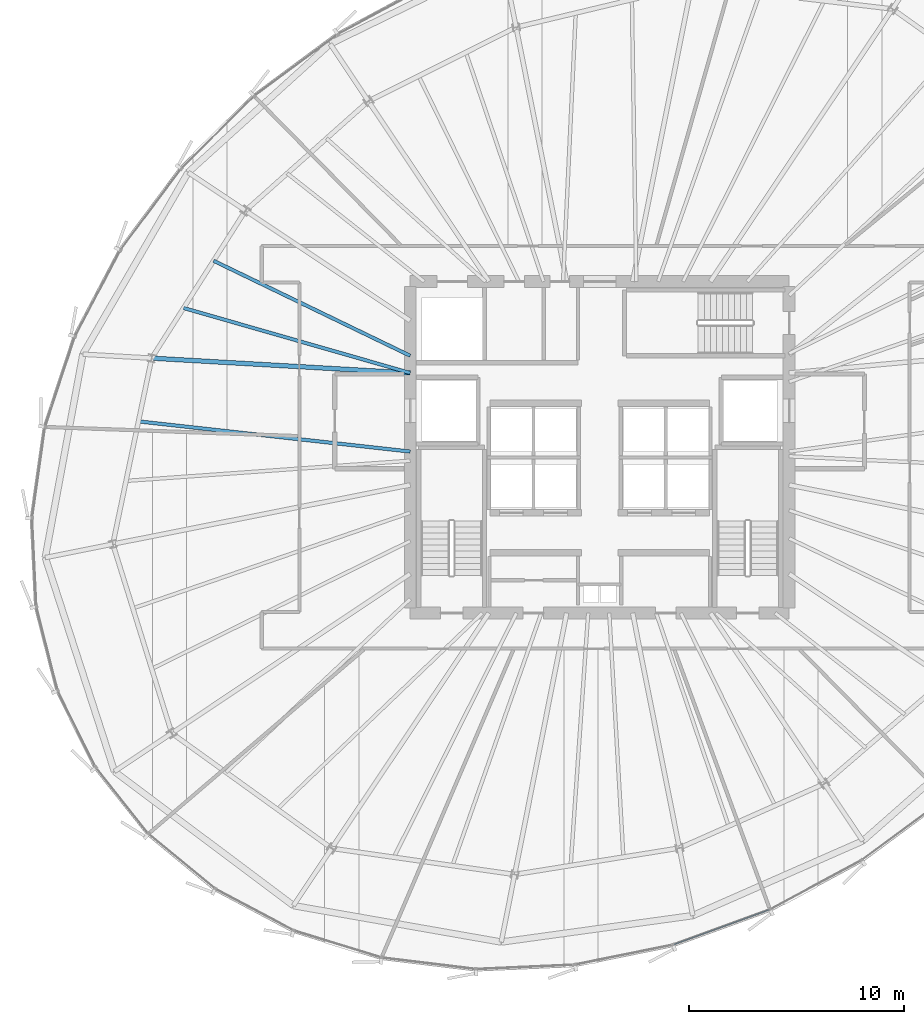
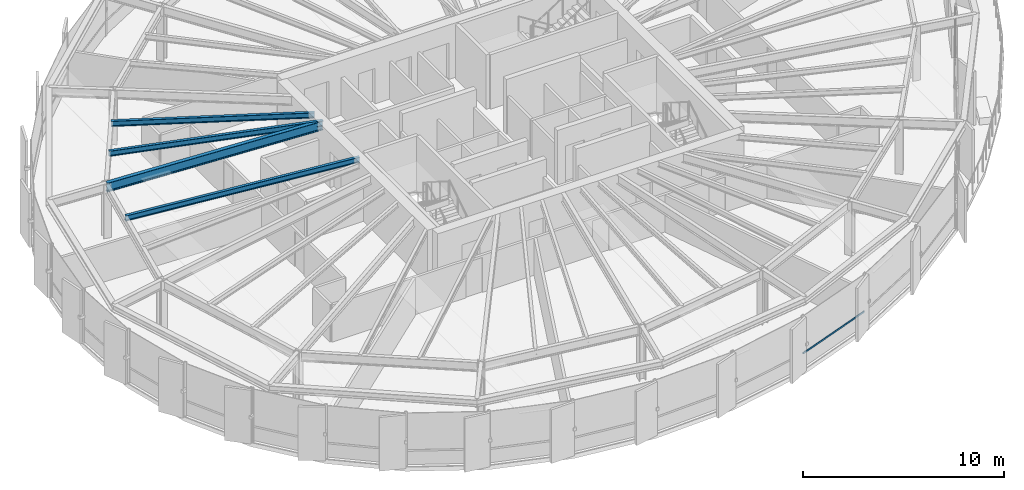
# One storey, part 12 of 36: 4 beams, 1 member, 1 element without a shape of its own.
"""IFC4 building model written with IfcOpenShell, lengths in metres."""

from ifc_helpers import new_model, si_unit, direction, frame, origin, origin_2d, place, context, subcontext, project, spatial, hollow_rectangle, i_section, extrude, source, transform, mapped, material, layer, layer_set, material_profile, profile_set, type_object, element, aggregate, save


model = new_model("IFC4")

# Units and contexts
model_context = context("Model", 3, precision=1e-05, world=origin(), true_north=direction((0.0, 1.0)))
body_context = subcontext(model_context, "Body", "Model", "MODEL_VIEW")
ifc_project = project(units=[si_unit("LENGTHUNIT", "METRE"), si_unit("AREAUNIT", "SQUARE_METRE"), si_unit("VOLUMEUNIT", "CUBIC_METRE"), si_unit("PLANEANGLEUNIT", "RADIAN"), si_unit("MASSUNIT", "GRAM", prefix="KILO"), si_unit("THERMODYNAMICTEMPERATUREUNIT", "KELVIN")], contexts=[model_context])

# Site, building, storey
site_placement = place(None, origin())
site = spatial("IfcSite", under=ifc_project, at=site_placement, CompositionType="ELEMENT")
building_placement = place(site_placement, origin())
building = spatial("IfcBuilding", under=site, at=building_placement, Name="Kethvar Cultural Tower", CompositionType="ELEMENT")
storey_placement = place(building_placement, frame((0.0, 0.0, 164.300048828125)))
storey = spatial("IfcBuildingStorey", under=building, at=storey_placement, Name="L42", CompositionType="ELEMENT", Elevation=164.300048828125)

# Beams
ifc_material_1 = material(Name="Steel S355J2", Category="steel")
ifc_material_profile_1 = material_profile(ifc_material_1, i_section(OverallWidth=0.2099609375, OverallDepth=0.550048828125, WebThickness=0.010986328125, FlangeThickness=0.01708984375, FilletRadius=0.02392578125, at=origin_2d()), Name="Steel S355J2 — IPE550")
ifc_profile_set_1 = profile_set([ifc_material_profile_1], Name="Steel S355J2 — IPE550")
beam_type_1 = type_object("IfcBeamType", Name="BM-IPE550", PredefinedType="BEAM", material=ifc_profile_set_1)
shared_shape_1 = source(origin(), body_context, "Body", "SweptSolid", [
    extrude(i_section(OverallWidth=0.2099609375, OverallDepth=0.550048828125, WebThickness=0.010986328125, FlangeThickness=0.01708984375, FilletRadius=0.02392578125, at=origin_2d()), origin(), (0.0, 0.0, 1.0), 12.03125),
])
beam_1_placement = place(storey_placement, frame((38.0, 31.25, 3.02294921875), z_axis=(-0.998355544741, 0.057325441856, 0.0), x_axis=(-0.057325441856, -0.998355544741, 0.0)))
element("IfcBeam", 1, at=beam_1_placement, inside=storey, type_object=beam_type_1, Name="L42 Primary Radial Beam RB-08", PredefinedType="BEAM", context=body_context, shape_type="MappedRepresentation", body=[
    mapped(shared_shape_1, transform((0.0, 0.0, 0.0), scale=1.0)),
])
ifc_material_profile_2 = material_profile(ifc_material_1, i_section(OverallWidth=0.159912109375, OverallDepth=0.330078125, WebThickness=0.007568359375, FlangeThickness=0.011474609375, FilletRadius=0.01806640625, at=origin_2d()), Name="Steel S355J2 — IPE330")
ifc_profile_set_2 = profile_set([ifc_material_profile_2], Name="Steel S355J2 — IPE330")
beam_type_2 = type_object("IfcBeamType", Name="BM-J330", PredefinedType="JOIST", material=ifc_profile_set_2)
shared_shape_2 = source(origin(), body_context, "Body", "SweptSolid", [
    extrude(i_section(OverallWidth=0.159912109375, OverallDepth=0.330078125, WebThickness=0.007568359375, FlangeThickness=0.011474609375, FilletRadius=0.01806640625, at=origin_2d()), origin(), (0.0, 0.0, 1.0), 10.1455078125),
])
beam_2_placement = place(storey_placement, frame((38.0, 32.05078125, 3.133056640625), z_axis=(-0.90045122575, 0.434956997927, 0.0), x_axis=(-0.434956997927, -0.90045122575, 0.0)))
element("IfcBeam", 2, at=beam_2_placement, inside=storey, type_object=beam_type_2, Name="L42 Composite Floor Joist J-07A", PredefinedType="JOIST", context=body_context, shape_type="MappedRepresentation", body=[
    mapped(shared_shape_2, transform((0.0, 0.0, 0.0), scale=1.0)),
])
shared_shape_3 = source(origin(), body_context, "Body", "SweptSolid", [
    extrude(i_section(OverallWidth=0.159912109375, OverallDepth=0.330078125, WebThickness=0.007568359375, FlangeThickness=0.011474609375, FilletRadius=0.01806640625, at=origin_2d()), origin(), (0.0, 0.0, 1.0), 10.95458984375),
])
beam_3_placement = place(storey_placement, frame((38.0, 31.25, 3.133056640625), z_axis=(-0.96124170623, 0.275707058676, 0.0), x_axis=(-0.275707058676, -0.96124170623, 0.0)))
element("IfcBeam", 3, at=beam_3_placement, inside=storey, type_object=beam_type_2, Name="L42 Composite Floor Joist J-07B", PredefinedType="JOIST", context=body_context, shape_type="MappedRepresentation", body=[
    mapped(shared_shape_3, transform((0.0, 0.0, 0.0), scale=1.0)),
])
shared_shape_4 = source(origin(), body_context, "Body", "SweptSolid", [
    extrude(i_section(OverallWidth=0.159912109375, OverallDepth=0.330078125, WebThickness=0.007568359375, FlangeThickness=0.011474609375, FilletRadius=0.01806640625, at=origin_2d()), origin(), (0.0, 0.0, 1.0), 12.7021484375),
])
beam_4_placement = place(storey_placement, frame((38.0, 27.60009765625, 3.133056640625), z_axis=(-0.993884906591, 0.110420978309, 0.0), x_axis=(-0.110420978309, -0.993884906591, 0.0)))
element("IfcBeam", 4, at=beam_4_placement, inside=storey, type_object=beam_type_2, Name="L42 Composite Floor Joist J-08A", PredefinedType="JOIST", context=body_context, shape_type="MappedRepresentation", body=[
    mapped(shared_shape_4, transform((0.0, 0.0, 0.0), scale=1.0)),
])

# Curtain wall, member
ifc_material_2 = material(Name="Aluminium 6063-T6", Category="aluminium")
ifc_layer = layer(ifc_material_2, 0.179931640625, Name="Aluminium 6063-T6", Category="aluminium")
ifc_layer_set = layer_set([ifc_layer], Name="Aluminium 6063-T6 (180 mm)")
curtain_wall_type = type_object("IfcCurtainWallType", Name="CW-SYS-04-Z34", PredefinedType="NOTDEFINED", material=ifc_layer_set)
curtain_wall_placement = place(storey_placement, origin())
curtain_wall = element("IfcCurtainWall", 5, at=curtain_wall_placement, inside=storey, type_object=curtain_wall_type, Name="L42 Curtain Wall Run 05", PredefinedType="NOTDEFINED")
ifc_material_profile_3 = material_profile(ifc_material_2, hollow_rectangle(XDim=0.050048828125, YDim=0.10009765625, WallThickness=0.00390625, at=origin_2d()), Name="Aluminium 6063-T6 — RHS100x50x4")
ifc_profile_set_3 = profile_set([ifc_material_profile_3], Name="Aluminium 6063-T6 — RHS100x50x4")
member_type = type_object("IfcMemberType", Name="CW-SYS-04-Z34-TRN", PredefinedType="USERDEFINED", material=ifc_profile_set_3)
shared_shape_5 = source(origin(), body_context, "Body", "SweptSolid", [
    extrude(hollow_rectangle(XDim=0.050048828125, YDim=0.10009765625, WallThickness=0.00390625, at=origin_2d()), origin(), (0.0, 0.0, 1.0), 4.7138671875),
])
member_placement = place(storey_placement, frame((50.25537109375, 4.704345703125, 0.949951171875), z_axis=(0.939628483918, 0.34219630654, 0.0), x_axis=(-0.34219630654, 0.939628483918, 0.0)))
member = element("IfcMember", 6, at=member_placement, type_object=member_type, Name="CW-L42-R05 Transom 2", ObjectType="TRANSOM", PredefinedType="USERDEFINED", context=body_context, shape_type="MappedRepresentation", body=[
    mapped(shared_shape_5, transform((0.0, 0.0, 0.0), scale=1.0)),
])
aggregate(curtain_wall, [member])

save(model, "model.ifc")
